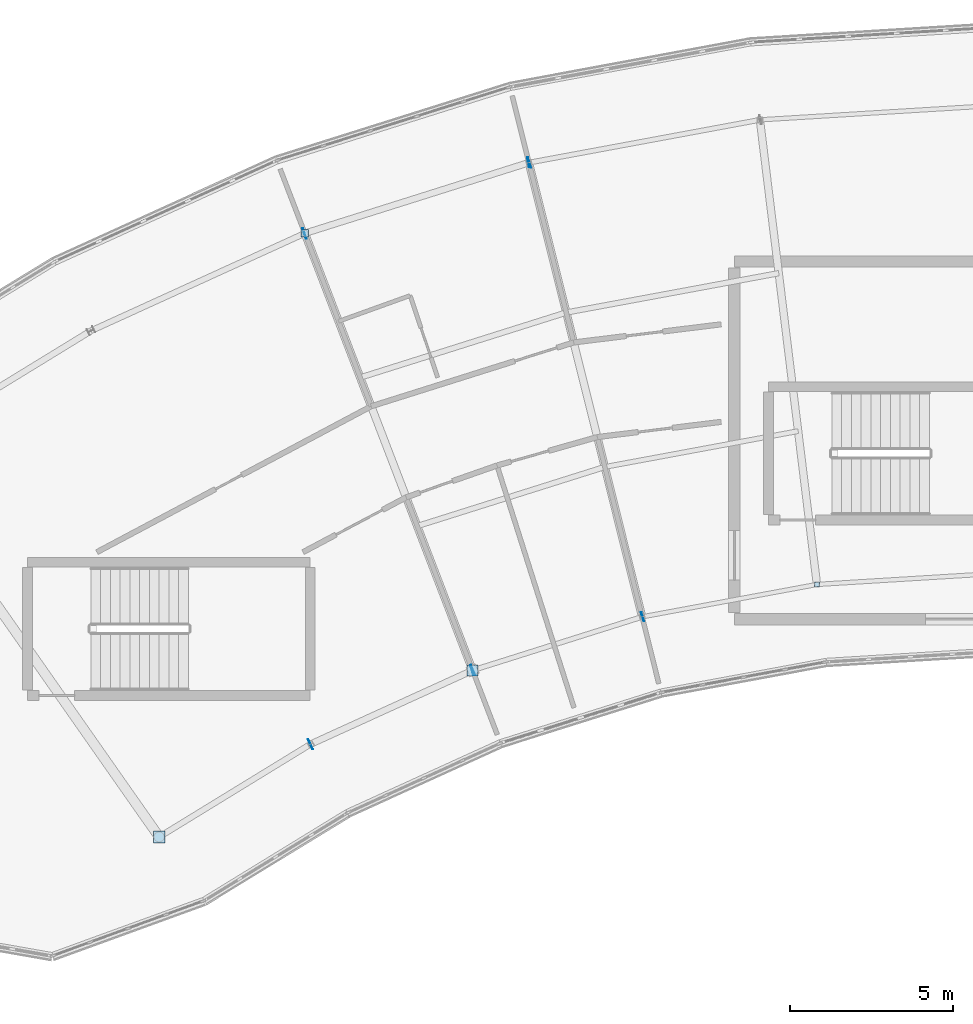
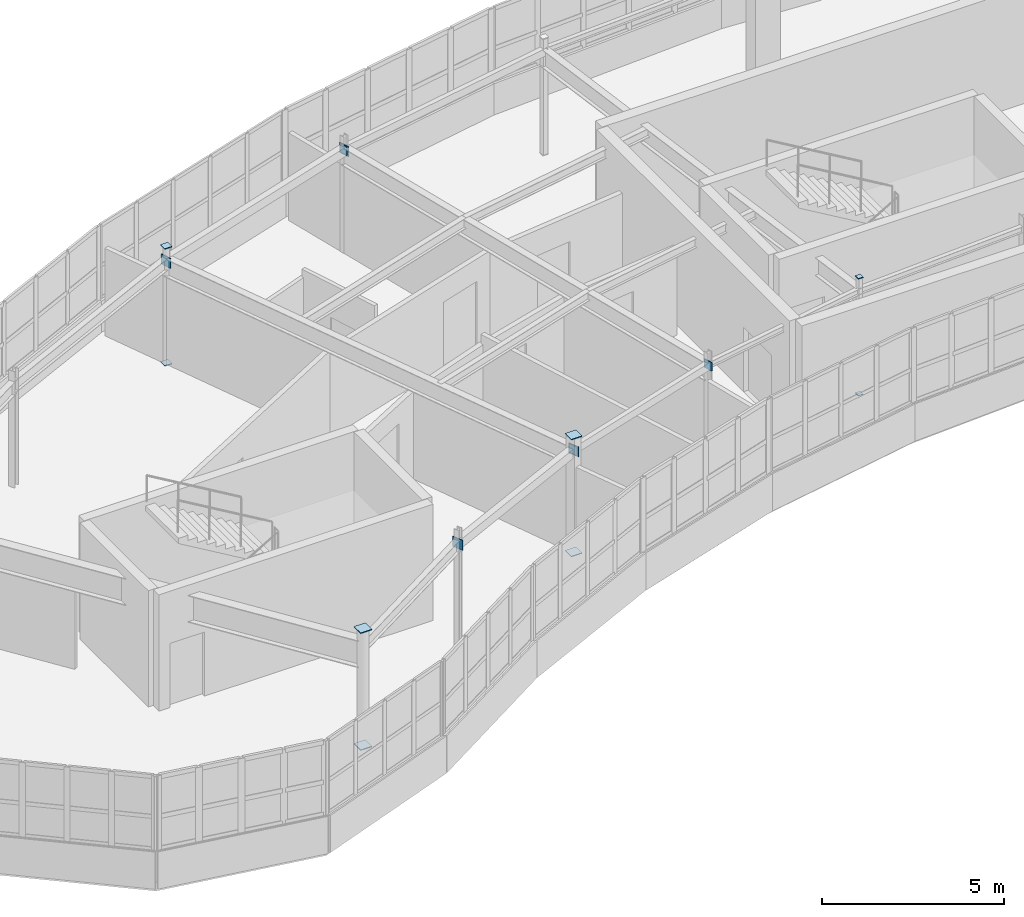
# One storey, part 60 of 79: 15 plates.
"""IFC4 building model written with IfcOpenShell, lengths in metres."""

from ifc_helpers import new_model, si_unit, direction, frame, origin, origin_2d, place, context, subcontext, project, spatial, rectangle, extrude, material, layer, layer_set, type_object, element, save


model = new_model("IFC4")

# Units and contexts
model_context = context("Model", 3, precision=1e-05, world=origin(), true_north=direction((0.0, 1.0)))
body_context = subcontext(model_context, "Body", "Model", "MODEL_VIEW")
ifc_project = project(units=[si_unit("LENGTHUNIT", "METRE"), si_unit("AREAUNIT", "SQUARE_METRE"), si_unit("VOLUMEUNIT", "CUBIC_METRE"), si_unit("PLANEANGLEUNIT", "RADIAN"), si_unit("MASSUNIT", "GRAM", prefix="KILO")], contexts=[model_context])

# Site, building, storey
site_placement = place(None, origin())
site = spatial("IfcSite", under=ifc_project, at=site_placement, CompositionType="ELEMENT")
building_placement = place(site_placement, origin())
building = spatial("IfcBuilding", under=site, at=building_placement, Name="Tarnwether General Hospital", CompositionType="ELEMENT")
storey_placement = place(building_placement, frame((0.0, 0.0, 18.300048828125)))
storey = spatial("IfcBuildingStorey", under=building, at=storey_placement, Name="L04", CompositionType="ELEMENT", Elevation=18.300048828125)

# Plates
ifc_material = material(Name="Steel Grade 350 (350 MPa)", Category="steel")
ifc_layer = layer(ifc_material, 0.02490234375)
ifc_layer_set = layer_set([ifc_layer], Name="Steel Grade 350 (350 MPa)")
plate_type = type_object("IfcPlateType", Name="PT-GUS2", PredefinedType="USERDEFINED", material=ifc_layer_set)
for number, where, z_axis, x_axis, name in (
    (1, (66.303955078125, 99.697998046875, -0.02490234375), (0.0, 0.0, 1.0), (1.0, 0.0, 0.0), "Hollow Section Welded End Cap Plate 0463"),
    (2, (66.303955078125, 99.697998046875, 3.89990234375), (0.0, 0.0, 1.0), (1.0, 0.0, 0.0), "Hollow Section Welded End Cap Plate 0464"),
):
    element("IfcPlate", number, at=place(storey_placement, frame(where, z_axis=z_axis, x_axis=x_axis)), inside=storey, type_object=plate_type, Name=name, ObjectType="GUSSET", PredefinedType="USERDEFINED", context=body_context, shape_type="SweptSolid", body=[
        extrude(rectangle(XDim=0.364013671875, YDim=0.364013671875, at=origin_2d()), origin(), (0.0, 0.0, 1.0), 0.02490234375),
    ])
for number, where, z_axis, x_axis, name in (
    (3, (70.784912109375, 118.26806640625, -0.02490234375), (0.0, 0.0, 1.0), (1.0, 0.0, 0.0), "Hollow Section Welded End Cap Plate 0479"),
    (4, (70.784912109375, 118.26806640625, 3.89990234375), (0.0, 0.0, 1.0), (1.0, 0.0, 0.0), "Hollow Section Welded End Cap Plate 0480"),
):
    element("IfcPlate", number, at=place(storey_placement, frame(where, z_axis=z_axis, x_axis=x_axis)), inside=storey, type_object=plate_type, Name=name, ObjectType="GUSSET", PredefinedType="USERDEFINED", context=body_context, shape_type="SweptSolid", body=[
        extrude(rectangle(XDim=0.23388671875, YDim=0.23388671875, at=origin_2d()), origin(), (0.0, 0.0, 1.0), 0.02490234375),
    ])
for number, where, z_axis, x_axis, name in (
    (5, (75.945068359375, 104.823974609375, -0.02490234375), (0.0, 0.0, 1.0), (1.0, 0.0, 0.0), "Hollow Section Welded End Cap Plate 0487"),
    (6, (75.945068359375, 104.823974609375, 3.89990234375), (0.0, 0.0, 1.0), (1.0, 0.0, 0.0), "Hollow Section Welded End Cap Plate 0488"),
):
    element("IfcPlate", number, at=place(storey_placement, frame(where, z_axis=z_axis, x_axis=x_axis)), inside=storey, type_object=plate_type, Name=name, ObjectType="GUSSET", PredefinedType="USERDEFINED", context=body_context, shape_type="SweptSolid", body=[
        extrude(rectangle(XDim=0.340087890625, YDim=0.340087890625, at=origin_2d()), origin(), (0.0, 0.0, 1.0), 0.02490234375),
    ])
for number, where, z_axis, x_axis, name in (
    (7, (86.5400390625, 107.466064453125, -0.02490234375), (0.0, 0.0, 1.0), (1.0, 0.0, 0.0), "Hollow Section Welded End Cap Plate 0521"),
    (8, (86.5400390625, 107.466064453125, 3.89990234375), (0.0, 0.0, 1.0), (1.0, 0.0, 0.0), "Hollow Section Welded End Cap Plate 0522"),
):
    element("IfcPlate", number, at=place(storey_placement, frame(where, z_axis=z_axis, x_axis=x_axis)), inside=storey, type_object=plate_type, Name=name, ObjectType="GUSSET", PredefinedType="USERDEFINED", context=body_context, shape_type="SweptSolid", body=[
        extrude(rectangle(XDim=0.1650390625, YDim=0.1650390625, at=origin_2d()), origin(), (0.0, 0.0, 1.0), 0.02490234375),
    ])
for number, where, z_axis, x_axis, name in (
    (9, (70.95654296875, 102.55078125, 3.23974609375), (0.0, 0.0, 1.0), (0.9099685085, 0.414677360773, 0.0), "Hollow Section Welded End Cap Plate 1023"),
    (10, (75.956298828125, 104.8291015625, 3.23974609375), (0.0, 0.0, 1.0), (0.9099685085, 0.414677360773, 0.0), "Hollow Section Welded End Cap Plate 1024"),
    (11, (70.773193359375, 118.26416015625, 3.23974609375), (0.0, 0.0, 1.0), (0.953690705585, 0.300789025864, 0.0), "Hollow Section Welded End Cap Plate 1025"),
    (12, (77.68994140625, 120.44580078125, 3.23974609375), (0.0, 0.0, 1.0), (0.953690705585, 0.300789025864, 0.0), "Hollow Section Welded End Cap Plate 1026"),
):
    element("IfcPlate", number, at=place(storey_placement, frame(where, z_axis=z_axis, x_axis=x_axis)), inside=storey, type_object=plate_type, Name=name, ObjectType="GUSSET", PredefinedType="USERDEFINED", context=body_context, shape_type="SweptSolid", body=[
        extrude(rectangle(XDim=0.02490234375, YDim=0.340087890625, at=origin_2d()), origin(), (0.0, 0.0, 1.0), 0.340087890625),
    ])
for number, where, z_axis, x_axis, name in (
    (13, (75.93310546875, 104.8203125, 3.2900390625), (0.0, 0.0, 1.0), (0.953711702297, 0.300722444959, 0.0), "Hollow Section Welded End Cap Plate 1027"),
    (14, (81.173828125, 106.472900390625, 3.2900390625), (0.0, 0.0, 1.0), (0.953711702297, 0.300722444959, 0.0), "Hollow Section Welded End Cap Plate 1028"),
    (15, (77.665771484375, 120.439697265625, 3.2900390625), (0.0, 0.0, 1.0), (0.983261268185, 0.18220120331, 0.0), "Hollow Section Welded End Cap Plate 1029"),
):
    element("IfcPlate", number, at=place(storey_placement, frame(where, z_axis=z_axis, x_axis=x_axis)), inside=storey, type_object=plate_type, Name=name, ObjectType="GUSSET", PredefinedType="USERDEFINED", context=body_context, shape_type="SweptSolid", body=[
        extrude(rectangle(XDim=0.02490234375, YDim=0.2900390625, at=origin_2d()), origin(), (0.0, 0.0, 1.0), 0.2900390625),
    ])

save(model, "model.ifc")
